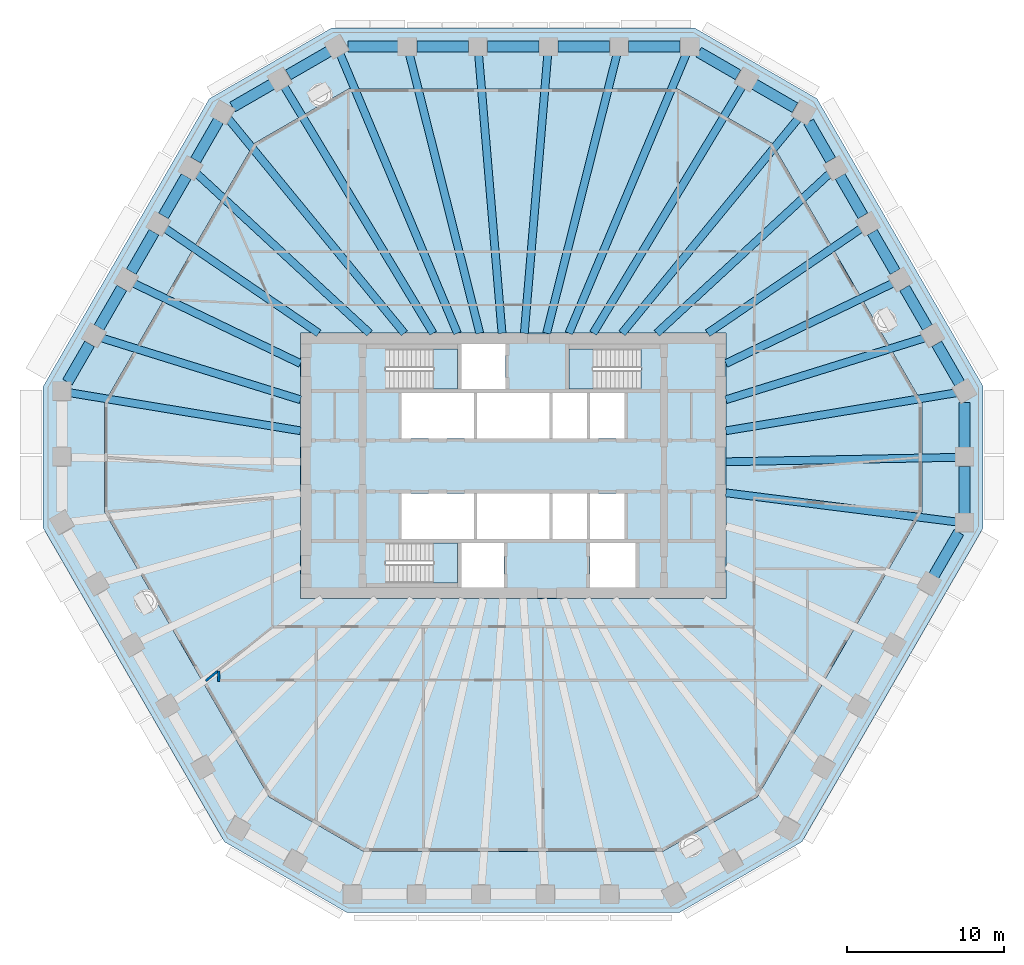
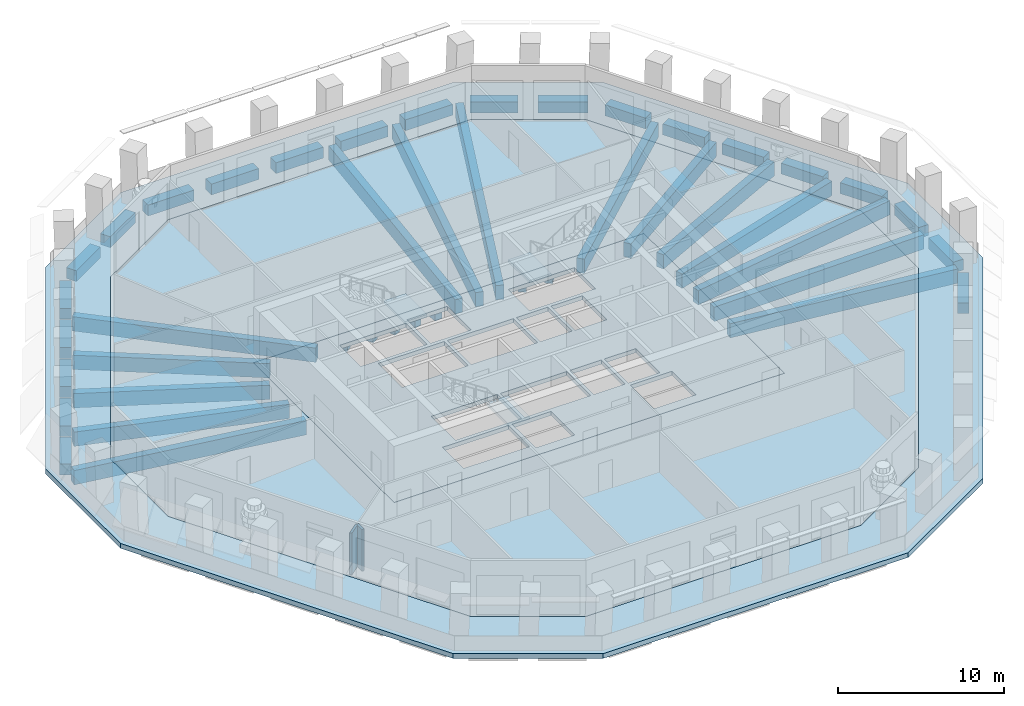
# One storey, part 2 of 12: 44 beams, 6 slabs, 2 walls, 3 elements without a shape of their own.
"""IFC4 building model written with IfcOpenShell, lengths in metres."""

from ifc_helpers import new_model, si_unit, direction, frame, frame_2d, origin, origin_2d, place, context, subcontext, project, spatial, polyline, rectangle, outline, extrude, material, layer, layer_set, material_profile, profile_set, type_object, element, aggregate, save


model = new_model("IFC4")

# Units and contexts
model_context = context("Model", 3, precision=1e-05, world=origin(), true_north=direction((0.0, 1.0)))
body_context = subcontext(model_context, "Body", "Model", "MODEL_VIEW")
ifc_project = project(units=[si_unit("LENGTHUNIT", "METRE"), si_unit("AREAUNIT", "SQUARE_METRE"), si_unit("VOLUMEUNIT", "CUBIC_METRE"), si_unit("PLANEANGLEUNIT", "RADIAN"), si_unit("MASSUNIT", "GRAM", prefix="KILO")], contexts=[model_context])

# Site, building, storey
site_placement = place(None, origin())
site = spatial("IfcSite", under=ifc_project, at=site_placement, CompositionType="ELEMENT")
building_placement = place(site_placement, origin())
building = spatial("IfcBuilding", under=site, at=building_placement, Name="Frailejon Research Tower", CompositionType="ELEMENT")
storey_placement = place(building_placement, frame((0.0, 0.0, 162.800048828125)))
storey = spatial("IfcBuildingStorey", under=building, at=storey_placement, Name="L35", CompositionType="ELEMENT", Elevation=162.800048828125)

# Beams
ifc_material_1 = material(Name="Concrete C60/75", Category="concrete")
ifc_material_profile_1 = material_profile(ifc_material_1, rectangle(XDim=0.5, YDim=1.050048828125, at=origin_2d()), Name="Girder 500x1050")
ifc_profile_set_1 = profile_set([ifc_material_profile_1], Name="Concrete C60/75")
beam_type_1 = type_object("IfcBeamType", Name="Girder 500x1050", PredefinedType="BEAM", material=ifc_profile_set_1)
beam_1_placement = place(storey_placement, frame((28.281005859375, -3.577392578125, -0.824951171875), z_axis=(-0.992095188785, 0.125487594564, 0.0), x_axis=(-0.125487594564, -0.992095188785, 0.0)))
element("IfcBeam", 1, at=beam_1_placement, inside=storey, type_object=beam_type_1, Name="Girder 500x1050", PredefinedType="BEAM", context=body_context, shape_type="SweptSolid", body=[
    extrude(rectangle(XDim=0.5, YDim=1.050048828125, at=origin_2d()), origin(), (0.0, 0.0, 1.0), 14.848388671875),
])
beam_2_placement = place(storey_placement, frame((28.281982421875, 0.54443359375, -0.824951171875), z_axis=(-0.999814637408, -0.019253332814, 0.0), x_axis=(0.019253332814, -0.999814637408, 0.0)))
element("IfcBeam", 2, at=beam_2_placement, inside=storey, type_object=beam_type_1, Name="Girder 500x1050", PredefinedType="BEAM", context=body_context, shape_type="SweptSolid", body=[
    extrude(rectangle(XDim=0.5, YDim=1.050048828125, at=origin_2d()), origin(), (0.0, 0.0, 1.0), 14.734619140625),
])
beam_3_placement = place(storey_placement, frame((28.24755859375, 4.66064453125, -0.824951171875), z_axis=(-0.986659725241, -0.16279615041, 0.0), x_axis=(0.16279615041, -0.986659725241, 0.0)))
element("IfcBeam", 3, at=beam_3_placement, inside=storey, type_object=beam_type_1, Name="Girder 500x1050", PredefinedType="BEAM", context=body_context, shape_type="SweptSolid", body=[
    extrude(rectangle(XDim=0.5, YDim=1.050048828125, at=origin_2d()), origin(), (0.0, 0.0, 1.0), 14.896240234375),
])
beam_4_placement = place(storey_placement, frame((26.23583984375, 8.156982421875, -0.824951171875), z_axis=(-0.954912247914, -0.296888192395, 0.0), x_axis=(0.296888192395, -0.954912247914, 0.0)))
element("IfcBeam", 4, at=beam_4_placement, inside=storey, type_object=beam_type_1, Name="Girder 500x1050", PredefinedType="BEAM", context=body_context, shape_type="SweptSolid", body=[
    extrude(rectangle(XDim=0.5, YDim=1.050048828125, at=origin_2d()), origin(), (0.0, 0.0, 1.0), 13.28466796875),
])
beam_5_placement = place(storey_placement, frame((24.220947265625, 11.653564453125, -0.824951171875), z_axis=(-0.901119230494, -0.433571369481, 0.0), x_axis=(0.433571369481, -0.901119230494, 0.0)))
element("IfcBeam", 5, at=beam_5_placement, inside=storey, type_object=beam_type_1, Name="Girder 500x1050", PredefinedType="BEAM", context=body_context, shape_type="SweptSolid", body=[
    extrude(rectangle(XDim=0.5, YDim=1.050048828125, at=origin_2d()), origin(), (0.0, 0.0, 1.0), 11.841796875),
])
beam_6_placement = place(storey_placement, frame((22.20263671875, 15.149169921875, -0.824951171875), z_axis=(-0.826029565842, -0.563626788181, 0.0), x_axis=(0.563626788181, -0.826029565842, 0.0)))
element("IfcBeam", 6, at=beam_6_placement, inside=storey, type_object=beam_type_1, Name="Girder 500x1050", PredefinedType="BEAM", context=body_context, shape_type="SweptSolid", body=[
    extrude(rectangle(XDim=0.5, YDim=1.050048828125, at=origin_2d()), origin(), (0.0, 0.0, 1.0), 11.885986328125),
])
beam_7_placement = place(storey_placement, frame((20.181884765625, 18.642578125, -0.824951171875), z_axis=(-0.734563500471, -0.678539950022, 0.0), x_axis=(0.678539950022, -0.734563500471, 0.0)))
element("IfcBeam", 7, at=beam_7_placement, inside=storey, type_object=beam_type_1, Name="Girder 500x1050", PredefinedType="BEAM", context=body_context, shape_type="SweptSolid", body=[
    extrude(rectangle(XDim=0.5, YDim=1.050048828125, at=origin_2d()), origin(), (0.0, 0.0, 1.0), 15.021484375),
])
beam_8_placement = place(storey_placement, frame((18.180908203125, 22.158203125, -0.824951171875), z_axis=(-0.634308594073, -0.773079948961, 0.0), x_axis=(0.773079948961, -0.634308594073, 0.0)))
element("IfcBeam", 8, at=beam_8_placement, inside=storey, type_object=beam_type_1, Name="Girder 500x1050", PredefinedType="BEAM", context=body_context, shape_type="SweptSolid", body=[
    extrude(rectangle(XDim=0.5, YDim=1.050048828125, at=origin_2d()), origin(), (0.0, 0.0, 1.0), 17.73193359375),
])
beam_9_placement = place(storey_placement, frame((14.612548828125, 24.220703125, -0.824951171875), z_axis=(-0.516578017035, -0.856240125383, 0.0), x_axis=(0.856240125383, -0.516578017035, 0.0)))
element("IfcBeam", 9, at=beam_9_placement, inside=storey, type_object=beam_type_1, Name="Girder 500x1050", PredefinedType="BEAM", context=body_context, shape_type="SweptSolid", body=[
    extrude(rectangle(XDim=0.5, YDim=1.050048828125, at=origin_2d()), origin(), (0.0, 0.0, 1.0), 18.418701171875),
])
beam_10_placement = place(storey_placement, frame((11.0244140625, 26.23828125, -0.824951171875), z_axis=(-0.387365638127, -0.921926169711, 0.0), x_axis=(0.921926169711, -0.387365638127, 0.0)))
element("IfcBeam", 10, at=beam_10_placement, inside=storey, type_object=beam_type_1, Name="Girder 500x1050", PredefinedType="BEAM", context=body_context, shape_type="SweptSolid", body=[
    extrude(rectangle(XDim=0.5, YDim=1.050048828125, at=origin_2d()), origin(), (0.0, 0.0, 1.0), 19.294677734375),
])
beam_11_placement = place(storey_placement, frame((6.616455078125, 26.245361328125, -0.824951171875), z_axis=(-0.24444454203, -0.969663274478, 0.0), x_axis=(0.969663274478, -0.24444454203, 0.0)))
element("IfcBeam", 11, at=beam_11_placement, inside=storey, type_object=beam_type_1, Name="Girder 500x1050", PredefinedType="BEAM", context=body_context, shape_type="SweptSolid", body=[
    extrude(rectangle(XDim=0.5, YDim=1.050048828125, at=origin_2d()), origin(), (0.0, 0.0, 1.0), 18.35205078125),
])
for number, where, z_axis, x_axis, name in (
    (12, (2.205810546875, 26.24951171875, -0.824951171875), (-0.083729799885, -0.996488494972, 0.0), (0.996488494972, -0.083729799885, 0.0), "Girder 500x1050"),
    (13, (-2.205810546875, 26.24951171875, -0.824951171875), (0.083729799885, -0.996488494972, 0.0), (0.996488494972, 0.083729799885, 0.0), "Girder 500x1050"),
):
    element("IfcBeam", number, at=place(storey_placement, frame(where, z_axis=z_axis, x_axis=x_axis)), inside=storey, type_object=beam_type_1, Name=name, PredefinedType="BEAM", context=body_context, shape_type="SweptSolid", body=[
        extrude(rectangle(XDim=0.5, YDim=1.050048828125, at=origin_2d()), origin(), (0.0, 0.0, 1.0), 17.8623046875),
    ])
beam_12_placement = place(storey_placement, frame((-6.616455078125, 26.245361328125, -0.824951171875), z_axis=(0.24444454203, -0.969663274478, 0.0), x_axis=(0.969663274478, 0.24444454203, 0.0)))
element("IfcBeam", 14, at=beam_12_placement, inside=storey, type_object=beam_type_1, Name="Girder 500x1050", PredefinedType="BEAM", context=body_context, shape_type="SweptSolid", body=[
    extrude(rectangle(XDim=0.5, YDim=1.050048828125, at=origin_2d()), origin(), (0.0, 0.0, 1.0), 18.35205078125),
])
beam_13_placement = place(storey_placement, frame((-11.042236328125, 26.28076171875, -0.824951171875), z_axis=(0.38736446261, -0.921926663627, 0.0), x_axis=(0.921926663627, 0.38736446261, 0.0)))
element("IfcBeam", 15, at=beam_13_placement, inside=storey, type_object=beam_type_1, Name="Girder 500x1050", PredefinedType="BEAM", context=body_context, shape_type="SweptSolid", body=[
    extrude(rectangle(XDim=0.5, YDim=1.050048828125, at=origin_2d()), origin(), (0.0, 0.0, 1.0), 19.3408203125),
])
beam_14_placement = place(storey_placement, frame((-14.612548828125, 24.220703125, -0.824951171875), z_axis=(0.516578017035, -0.856240125383, 0.0), x_axis=(0.856240125383, 0.516578017035, 0.0)))
element("IfcBeam", 16, at=beam_14_placement, inside=storey, type_object=beam_type_1, Name="Girder 500x1050", PredefinedType="BEAM", context=body_context, shape_type="SweptSolid", body=[
    extrude(rectangle(XDim=0.5, YDim=1.050048828125, at=origin_2d()), origin(), (0.0, 0.0, 1.0), 18.418701171875),
])
beam_15_placement = place(storey_placement, frame((-18.16015625, 22.1328125, -0.824951171875), z_axis=(0.634311327173, -0.773077706457, 0.0), x_axis=(0.773077706457, 0.634311327173, 0.0)))
element("IfcBeam", 17, at=beam_15_placement, inside=storey, type_object=beam_type_1, Name="Girder 500x1050", PredefinedType="BEAM", context=body_context, shape_type="SweptSolid", body=[
    extrude(rectangle(XDim=0.5, YDim=1.050048828125, at=origin_2d()), origin(), (0.0, 0.0, 1.0), 17.69921875),
])
beam_16_placement = place(storey_placement, frame((-20.181884765625, 18.642578125, -0.824951171875), z_axis=(0.734563500471, -0.678539950022, 0.0), x_axis=(0.678539950022, 0.734563500471, 0.0)))
element("IfcBeam", 18, at=beam_16_placement, inside=storey, type_object=beam_type_1, Name="Girder 500x1050", PredefinedType="BEAM", context=body_context, shape_type="SweptSolid", body=[
    extrude(rectangle(XDim=0.5, YDim=1.050048828125, at=origin_2d()), origin(), (0.0, 0.0, 1.0), 15.021484375),
])
beam_17_placement = place(storey_placement, frame((-22.20263671875, 15.149169921875, -0.824951171875), z_axis=(0.826029565842, -0.563626788181, 0.0), x_axis=(0.563626788181, 0.826029565842, 0.0)))
element("IfcBeam", 19, at=beam_17_placement, inside=storey, type_object=beam_type_1, Name="Girder 500x1050", PredefinedType="BEAM", context=body_context, shape_type="SweptSolid", body=[
    extrude(rectangle(XDim=0.5, YDim=1.050048828125, at=origin_2d()), origin(), (0.0, 0.0, 1.0), 11.885986328125),
])
beam_18_placement = place(storey_placement, frame((-24.220947265625, 11.653564453125, -0.824951171875), z_axis=(0.901119230494, -0.433571369481, 0.0), x_axis=(0.433571369481, 0.901119230494, 0.0)))
element("IfcBeam", 20, at=beam_18_placement, inside=storey, type_object=beam_type_1, Name="Girder 500x1050", PredefinedType="BEAM", context=body_context, shape_type="SweptSolid", body=[
    extrude(rectangle(XDim=0.5, YDim=1.050048828125, at=origin_2d()), origin(), (0.0, 0.0, 1.0), 11.841796875),
])
beam_19_placement = place(storey_placement, frame((-26.23583984375, 8.156982421875, -0.824951171875), z_axis=(0.954912247914, -0.296888192395, 0.0), x_axis=(0.296888192395, 0.954912247914, 0.0)))
element("IfcBeam", 21, at=beam_19_placement, inside=storey, type_object=beam_type_1, Name="Girder 500x1050", PredefinedType="BEAM", context=body_context, shape_type="SweptSolid", body=[
    extrude(rectangle(XDim=0.5, YDim=1.050048828125, at=origin_2d()), origin(), (0.0, 0.0, 1.0), 13.28466796875),
])
beam_20_placement = place(storey_placement, frame((-28.280029296875, 4.666015625, -0.824951171875), z_axis=(0.986659579812, -0.162797031807, 0.0), x_axis=(0.162797031807, 0.986659579812, 0.0)))
element("IfcBeam", 22, at=beam_20_placement, inside=storey, type_object=beam_type_1, Name="Girder 500x1050", PredefinedType="BEAM", context=body_context, shape_type="SweptSolid", body=[
    extrude(rectangle(XDim=0.5, YDim=1.050048828125, at=origin_2d()), origin(), (0.0, 0.0, 1.0), 14.92919921875),
])
ifc_material_2 = material(Name="Concrete C60/75", Category="concrete")
ifc_material_profile_2 = material_profile(ifc_material_2, rectangle(XDim=0.699951171875, YDim=0.800048828125, at=origin_2d()), Name="Spandrel 700x800")
ifc_profile_set_2 = profile_set([ifc_material_profile_2], Name="Concrete C60/75")
beam_type_2 = type_object("IfcBeamType", Name="Spandrel 700x800", PredefinedType="BEAM", material=ifc_profile_set_2)
beam_21_placement = place(storey_placement, frame((28.732177734375, -3.034423828125, -0.75), z_axis=(0.0, 1.0, 0.0), x_axis=(-1.0, 0.0, 0.0)))
element("IfcBeam", 23, at=beam_21_placement, inside=storey, type_object=beam_type_2, Name="Spandrel 700x800", PredefinedType="BEAM", context=body_context, shape_type="SweptSolid", body=[
    extrude(rectangle(XDim=0.699951171875, YDim=0.800048828125, at=origin_2d()), origin(), (0.0, 0.0, 1.0), 2.987548828125),
])
beam_22_placement = place(storey_placement, frame((28.732177734375, 1.153076171875, -0.75), z_axis=(0.0, 1.0, 0.0), x_axis=(-1.0, 0.0, 0.0)))
element("IfcBeam", 24, at=beam_22_placement, inside=storey, type_object=beam_type_2, Name="Spandrel 700x800", PredefinedType="BEAM", context=body_context, shape_type="SweptSolid", body=[
    extrude(rectangle(XDim=0.699951171875, YDim=0.800048828125, at=origin_2d()), origin(), (0.0, 0.0, 1.0), 2.894775390625),
])
beam_23_placement = place(storey_placement, frame((28.43212890625, 5.26025390625, -0.75), z_axis=(-0.500008670696, 0.866020397698, 0.0), x_axis=(-0.866020397698, -0.500008670696, 0.0)))
element("IfcBeam", 25, at=beam_23_placement, inside=storey, type_object=beam_type_2, Name="Spandrel 700x800", PredefinedType="BEAM", context=body_context, shape_type="SweptSolid", body=[
    extrude(rectangle(XDim=0.699951171875, YDim=0.800048828125, at=origin_2d()), origin(), (0.0, 0.0, 1.0), 2.904296875),
])
beam_24_placement = place(storey_placement, frame((26.3798828125, 8.814697265625, -0.75), z_axis=(-0.499945619954, 0.866056797842, 0.0), x_axis=(-0.866056797842, -0.499945619954, 0.0)))
element("IfcBeam", 26, at=beam_24_placement, inside=storey, type_object=beam_type_2, Name="Spandrel 700x800", PredefinedType="BEAM", context=body_context, shape_type="SweptSolid", body=[
    extrude(rectangle(XDim=0.699951171875, YDim=0.800048828125, at=origin_2d()), origin(), (0.0, 0.0, 1.0), 2.904052734375),
])
for number, where, z_axis, x_axis, name in (
    (27, (24.327880859375, 12.368896484375, -0.75), (-0.500008670696, 0.866020397698, 0.0), (-0.866020397698, -0.500008670696, 0.0), "Spandrel 700x800"),
    (28, (22.27587890625, 15.92333984375, -0.75), (-0.500008670696, 0.866020397698, 0.0), (-0.866020397698, -0.500008670696, 0.0), "Spandrel 700x800"),
):
    element("IfcBeam", number, at=place(storey_placement, frame(where, z_axis=z_axis, x_axis=x_axis)), inside=storey, type_object=beam_type_2, Name=name, PredefinedType="BEAM", context=body_context, shape_type="SweptSolid", body=[
        extrude(rectangle(XDim=0.699951171875, YDim=0.800048828125, at=origin_2d()), origin(), (0.0, 0.0, 1.0), 2.904296875),
    ])
beam_25_placement = place(storey_placement, frame((20.2236328125, 19.477783203125, -0.75), z_axis=(-0.499978056798, 0.866038072327, 0.0), x_axis=(-0.866038072327, -0.499978056798, 0.0)))
element("IfcBeam", 29, at=beam_25_placement, inside=storey, type_object=beam_type_2, Name="Spandrel 700x800", PredefinedType="BEAM", context=body_context, shape_type="SweptSolid", body=[
    extrude(rectangle(XDim=0.699951171875, YDim=0.800048828125, at=origin_2d()), origin(), (0.0, 0.0, 1.0), 2.811279296875),
])
beam_26_placement = place(storey_placement, frame((17.951904296875, 22.8125, -0.75), z_axis=(-0.86603180189, 0.499988917992, 0.0), x_axis=(-0.499988917992, -0.86603180189, 0.0)))
element("IfcBeam", 30, at=beam_26_placement, inside=storey, type_object=beam_type_2, Name="Spandrel 700x800", PredefinedType="BEAM", context=body_context, shape_type="SweptSolid", body=[
    extrude(rectangle(XDim=0.699951171875, YDim=0.800048828125, at=origin_2d()), origin(), (0.0, 0.0, 1.0), 2.9873046875),
])
beam_27_placement = place(storey_placement, frame((14.325439453125, 24.90625, -0.75), z_axis=(-0.866033897268, 0.499985288567, 0.0), x_axis=(-0.499985288567, -0.866033897268, 0.0)))
element("IfcBeam", 31, at=beam_27_placement, inside=storey, type_object=beam_type_2, Name="Spandrel 700x800", PredefinedType="BEAM", context=body_context, shape_type="SweptSolid", body=[
    extrude(rectangle(XDim=0.699951171875, YDim=0.800048828125, at=origin_2d()), origin(), (0.0, 0.0, 1.0), 2.89453125),
])
for number, where, z_axis, x_axis, name in (
    (32, (10.618408203125, 26.699951171875, -0.75), (-1.0, 0.0, 0.0), (0.0, -1.0, 0.0), "Spandrel 700x800"),
    (33, (6.131103515625, 26.699951171875, -0.75), (-1.0, 0.0, 0.0), (0.0, -1.0, 0.0), "Spandrel 700x800"),
):
    element("IfcBeam", number, at=place(storey_placement, frame(where, z_axis=z_axis, x_axis=x_axis)), inside=storey, type_object=beam_type_2, Name=name, PredefinedType="BEAM", context=body_context, shape_type="SweptSolid", body=[
        extrude(rectangle(XDim=0.699951171875, YDim=0.800048828125, at=origin_2d()), origin(), (0.0, 0.0, 1.0), 3.287353515625),
    ])
beam_28_placement = place(storey_placement, frame((1.643798828125, 26.699951171875, -0.75), z_axis=(-1.0, 0.0, 0.0), x_axis=(0.0, -1.0, 0.0)))
element("IfcBeam", 34, at=beam_28_placement, inside=storey, type_object=beam_type_2, Name="Spandrel 700x800", PredefinedType="BEAM", context=body_context, shape_type="SweptSolid", body=[
    extrude(rectangle(XDim=0.699951171875, YDim=0.800048828125, at=origin_2d()), origin(), (0.0, 0.0, 1.0), 3.28759765625),
])
beam_29_placement = place(storey_placement, frame((-2.84375, 26.699951171875, -0.75), z_axis=(-1.0, 0.0, 0.0), x_axis=(0.0, -1.0, 0.0)))
element("IfcBeam", 35, at=beam_29_placement, inside=storey, type_object=beam_type_2, Name="Spandrel 700x800", PredefinedType="BEAM", context=body_context, shape_type="SweptSolid", body=[
    extrude(rectangle(XDim=0.699951171875, YDim=0.800048828125, at=origin_2d()), origin(), (0.0, 0.0, 1.0), 3.287353515625),
])
beam_30_placement = place(storey_placement, frame((-7.3310546875, 26.699951171875, -0.75), z_axis=(-1.0, 0.0, 0.0), x_axis=(0.0, -1.0, 0.0)))
element("IfcBeam", 36, at=beam_30_placement, inside=storey, type_object=beam_type_2, Name="Spandrel 700x800", PredefinedType="BEAM", context=body_context, shape_type="SweptSolid", body=[
    extrude(rectangle(XDim=0.699951171875, YDim=0.800048828125, at=origin_2d()), origin(), (0.0, 0.0, 1.0), 3.194580078125),
])
beam_31_placement = place(storey_placement, frame((-11.738037109375, 26.39990234375, -0.75), z_axis=(-0.866052229876, -0.499953532967, 0.0), x_axis=(0.499953532967, -0.866052229876, 0.0)))
element("IfcBeam", 37, at=beam_31_placement, inside=storey, type_object=beam_type_2, Name="Spandrel 700x800", PredefinedType="BEAM", context=body_context, shape_type="SweptSolid", body=[
    extrude(rectangle(XDim=0.699951171875, YDim=0.800048828125, at=origin_2d()), origin(), (0.0, 0.0, 1.0), 2.987548828125),
])
beam_32_placement = place(storey_placement, frame((-15.36474609375, 24.30615234375, -0.75), z_axis=(-0.866033897268, -0.499985288567, 0.0), x_axis=(0.499985288567, -0.866033897268, 0.0)))
element("IfcBeam", 38, at=beam_32_placement, inside=storey, type_object=beam_type_2, Name="Spandrel 700x800", PredefinedType="BEAM", context=body_context, shape_type="SweptSolid", body=[
    extrude(rectangle(XDim=0.699951171875, YDim=0.800048828125, at=origin_2d()), origin(), (0.0, 0.0, 1.0), 2.89453125),
])
for number, where, z_axis, x_axis, name in (
    (39, (-18.771484375, 21.992919921875, -0.75), (-0.500008670696, -0.866020397698, 0.0), (0.866020397698, -0.500008670696, 0.0), "Spandrel 700x800"),
    (40, (-20.82373046875, 18.4384765625, -0.75), (-0.500008670696, -0.866020397698, 0.0), (0.866020397698, -0.500008670696, 0.0), "Spandrel 700x800"),
    (41, (-22.875732421875, 14.884033203125, -0.75), (-0.500008670696, -0.866020397698, 0.0), (0.866020397698, -0.500008670696, 0.0), "Spandrel 700x800"),
):
    element("IfcBeam", number, at=place(storey_placement, frame(where, z_axis=z_axis, x_axis=x_axis)), inside=storey, type_object=beam_type_2, Name=name, PredefinedType="BEAM", context=body_context, shape_type="SweptSolid", body=[
        extrude(rectangle(XDim=0.699951171875, YDim=0.800048828125, at=origin_2d()), origin(), (0.0, 0.0, 1.0), 2.904296875),
    ])
beam_33_placement = place(storey_placement, frame((-24.927978515625, 11.329833984375, -0.75), z_axis=(-0.499945619954, -0.866056797842, 0.0), x_axis=(0.866056797842, -0.499945619954, 0.0)))
element("IfcBeam", 42, at=beam_33_placement, inside=storey, type_object=beam_type_2, Name="Spandrel 700x800", PredefinedType="BEAM", context=body_context, shape_type="SweptSolid", body=[
    extrude(rectangle(XDim=0.699951171875, YDim=0.800048828125, at=origin_2d()), origin(), (0.0, 0.0, 1.0), 2.904052734375),
])
beam_34_placement = place(storey_placement, frame((-26.97998046875, 7.775390625, -0.75), z_axis=(-0.500043189695, -0.866000466766, 0.0), x_axis=(0.866000466766, -0.500043189695, 0.0)))
element("IfcBeam", 43, at=beam_34_placement, inside=storey, type_object=beam_type_2, Name="Spandrel 700x800", PredefinedType="BEAM", context=body_context, shape_type="SweptSolid", body=[
    extrude(rectangle(XDim=0.699951171875, YDim=0.800048828125, at=origin_2d()), origin(), (0.0, 0.0, 1.0), 2.811279296875),
])
beam_35_placement = place(storey_placement, frame((26.788330078125, -7.001220703125, -0.75), z_axis=(0.500026752084, 0.866009957911, 0.0), x_axis=(-0.866009957911, 0.500026752084, 0.0)))
element("IfcBeam", 44, at=beam_35_placement, inside=storey, type_object=beam_type_2, Name="Spandrel 700x800", PredefinedType="BEAM", context=body_context, shape_type="SweptSolid", body=[
    extrude(rectangle(XDim=0.699951171875, YDim=0.800048828125, at=origin_2d()), origin(), (0.0, 0.0, 1.0), 3.194580078125),
])

# Slabs
ifc_material_3 = material(Name="Concrete C60/75", Category="concrete")
ifc_layer_1 = layer(ifc_material_3, 0.300048828125)
ifc_layer_set_1 = layer_set([ifc_layer_1], Name="Core floor slab 300 C60/75")
slab_type_1 = type_object("IfcSlabType", Name="Core floor slab 300 C60/75", PredefinedType="FLOOR", material=ifc_layer_set_1)
slab_1_placement = place(storey_placement, frame((0.0, 0.0, -0.300048828125)))
element("IfcSlab", 45, at=slab_1_placement, inside=storey, type_object=slab_type_1, Name="Core floor slab", PredefinedType="FLOOR", context=body_context, shape_type="SweptSolid", body=[
    extrude(outline(polyline([(13.550048828125, -8.449951171875), (13.550048828125, 8.449951171875), (-13.550048828125, 8.449951171875), (-13.550048828125, -8.449951171875), (13.550048828125, -8.449951171875)]), holes=[polyline([(-2.5, 1.75), (-2.5, 4.64990234375), (-7.10009765625, 4.64990234375), (-7.10009765625, 1.75), (-2.5, 1.75)]), polyline([(2.300048828125, 1.75), (2.300048828125, 4.64990234375), (-2.300048828125, 4.64990234375), (-2.300048828125, 1.75), (2.300048828125, 1.75)]), polyline([(4.699951171875, 1.75), (4.699951171875, 4.64990234375), (2.5, 4.64990234375), (2.5, 1.75), (4.699951171875, 1.75)]), polyline([(7.10009765625, 1.75), (7.10009765625, 4.64990234375), (4.89990234375, 4.64990234375), (4.89990234375, 1.75), (7.10009765625, 1.75)]), polyline([(-2.5, -4.64990234375), (-2.5, -1.75), (-7.10009765625, -1.75), (-7.10009765625, -4.64990234375), (-2.5, -4.64990234375)]), polyline([(2.300048828125, -4.64990234375), (2.300048828125, -1.75), (-2.300048828125, -1.75), (-2.300048828125, -4.64990234375), (2.300048828125, -4.64990234375)]), polyline([(4.699951171875, -4.64990234375), (4.699951171875, -1.75), (2.5, -1.75), (2.5, -4.64990234375), (4.699951171875, -4.64990234375)]), polyline([(7.10009765625, -4.64990234375), (7.10009765625, -1.75), (4.89990234375, -1.75), (4.89990234375, -4.64990234375), (7.10009765625, -4.64990234375)]), polyline([(-8.14697265625, 4.89990234375), (-3.550048828125, 4.89990234375), (-3.550048828125, 7.449951171875), (-8.14697265625, 7.449951171875), (-8.14697265625, 4.89990234375)]), polyline([(-8.14697265625, -7.449951171875), (-3.550048828125, -7.449951171875), (-3.550048828125, -4.89990234375), (-8.14697265625, -4.89990234375), (-8.14697265625, -7.449951171875)]), polyline([(8.14697265625, 7.449951171875), (3.550048828125, 7.449951171875), (3.550048828125, 4.89990234375), (8.14697265625, 4.89990234375), (8.14697265625, 7.449951171875)]), polyline([(-0.60009765625, -7.75), (-0.60009765625, -4.89990234375), (-3.300048828125, -4.89990234375), (-3.300048828125, -7.75), (-0.60009765625, -7.75)]), polyline([(7.800048828125, -7.75), (7.800048828125, -4.89990234375), (4.89990234375, -4.89990234375), (4.89990234375, -7.75), (7.800048828125, -7.75)]), polyline([(-0.5, 4.89990234375), (-0.5, 7.75), (-3.300048828125, 7.75), (-3.300048828125, 4.89990234375), (-0.5, 4.89990234375)])]), origin(), (0.0, 0.0, 1.0), 0.300048828125),
])
ifc_material_4 = material(Name="Concrete C40/50", Category="concrete")
ifc_layer_2 = layer(ifc_material_4, 0.35009765625)
ifc_layer_set_2 = layer_set([ifc_layer_2], Name="Loggia slab 350")
slab_type_2 = type_object("IfcSlabType", Name="Loggia slab 350", PredefinedType="USERDEFINED", material=ifc_layer_set_2)
slab_2_placement = place(storey_placement, frame((0.0, 0.0, -0.35009765625)))
element("IfcSlab", 46, at=slab_2_placement, inside=storey, type_object=slab_type_2, Name="Loggia slab L35", ObjectType="LOGGIA", PredefinedType="USERDEFINED", context=body_context, shape_type="SweptSolid", body=[
    extrude(outline(polyline([(18.39208984375, -23.944091796875), (10.58203125, -28.453125), (-10.58203125, -28.453125), (-18.39208984375, -23.944091796875), (-29.93212890625, -3.9560546875), (-29.93212890625, 5.062255859375), (-19.35009765625, 23.390869140625), (-11.5400390625, 27.89990234375), (11.5400390625, 27.89990234375), (19.35009765625, 23.390869140625), (29.93212890625, 5.062255859375), (29.93212890625, -3.9560546875), (18.39208984375, -23.944091796875)]), holes=[polyline([(26.031982421875, 4.01708984375), (16.4951171875, 20.535888671875), (10.4951171875, 24.0), (-10.4951171875, 24.0), (-16.4951171875, 20.535888671875), (-26.031982421875, 4.01708984375), (-26.031982421875, -2.910888671875), (-15.537109375, -21.089111328125), (-9.537109375, -24.552978515625), (9.537109375, -24.552978515625), (15.537109375, -21.089111328125), (26.031982421875, -2.910888671875), (26.031982421875, 4.01708984375)])]), origin(), (0.0, 0.0, 1.0), 0.35009765625),
])
ifc_material_5 = material(Name="Concrete C40/50", Category="concrete")
ifc_layer_3 = layer(ifc_material_5, 0.300048828125)
ifc_layer_set_3 = layer_set([ifc_layer_3], Name="Slab typical 300")
slab_type_3 = type_object("IfcSlabType", Name="Slab typical 300", PredefinedType="FLOOR", material=ifc_layer_set_3)
slab_3_placement = place(storey_placement, frame((0.0, 0.0, -0.300048828125)))
element("IfcSlab", 47, at=slab_3_placement, inside=storey, type_object=slab_type_3, Name="Floor slab L35", PredefinedType="FLOOR", context=body_context, shape_type="SweptSolid", body=[
    extrude(outline(polyline([(26.031982421875, -2.910888671875), (26.031982421875, 4.01708984375), (16.4951171875, 20.535888671875), (10.4951171875, 24.0), (-10.4951171875, 24.0), (-16.4951171875, 20.535888671875), (-26.031982421875, 4.01708984375), (-26.031982421875, -2.910888671875), (-15.537109375, -21.089111328125), (-9.537109375, -24.552978515625), (9.537109375, -24.552978515625), (15.537109375, -21.089111328125), (26.031982421875, -2.910888671875)]), holes=[polyline([(13.550048828125, -8.449951171875), (-13.550048828125, -8.449951171875), (-13.550048828125, 8.449951171875), (13.550048828125, 8.449951171875), (13.550048828125, -8.449951171875)])]), origin(), (0.0, 0.0, 1.0), 0.300048828125),
])

# Stair, slab
ifc_material_6 = material(Name="Concrete C50/60", Category="concrete")
stair_type = type_object("IfcStairType", Name="Exit stair 24 risers", PredefinedType="HALF_TURN_STAIR", material=ifc_material_6)
stair_1_placement = place(storey_placement, origin())
stair_1 = element("IfcStair", 48, at=stair_1_placement, inside=storey, type_object=stair_type, Name="L35 Exit stair ST1", PredefinedType="HALF_TURN_STAIR")
ifc_material_7 = material(Name="Concrete C50/60", Category="concrete")
ifc_layer_4 = layer(ifc_material_7, 0.199951171875)
ifc_layer_set_4 = layer_set([ifc_layer_4], Name="Stair landing slab 200")
slab_type_4 = type_object("IfcSlabType", Name="Stair landing slab 200", PredefinedType="LANDING", material=ifc_layer_set_4)
slab_4_placement = place(storey_placement, frame((0.0, 0.0, 2.0)))
slab_4 = element("IfcSlab", 49, at=slab_4_placement, type_object=slab_type_4, Name="ST1 landing 1", PredefinedType="LANDING", context=body_context, shape_type="SweptSolid", body=[
    extrude(outline(polyline([(-5.070068359375, 4.89990234375), (-3.550048828125, 4.89990234375), (-3.550048828125, 7.449951171875), (-5.070068359375, 7.449951171875), (-5.070068359375, 4.89990234375)])), origin(), (0.0, 0.0, 1.0), 0.199951171875),
])
aggregate(stair_1, [slab_4])

stair_2_placement = place(storey_placement, origin())
stair_2 = element("IfcStair", 50, at=stair_2_placement, inside=storey, type_object=stair_type, Name="L35 Exit stair ST2", PredefinedType="HALF_TURN_STAIR")
slab_5_placement = place(storey_placement, frame((0.0, 0.0, 2.0)))
slab_5 = element("IfcSlab", 51, at=slab_5_placement, type_object=slab_type_4, Name="ST2 landing 1", PredefinedType="LANDING", context=body_context, shape_type="SweptSolid", body=[
    extrude(outline(polyline([(-5.070068359375, -7.449951171875), (-3.550048828125, -7.449951171875), (-3.550048828125, -4.89990234375), (-5.070068359375, -4.89990234375), (-5.070068359375, -7.449951171875)])), origin(), (0.0, 0.0, 1.0), 0.199951171875),
])
aggregate(stair_2, [slab_5])

stair_3_placement = place(storey_placement, origin())
stair_3 = element("IfcStair", 52, at=stair_3_placement, inside=storey, type_object=stair_type, Name="L35 Exit stair ST3", PredefinedType="HALF_TURN_STAIR")
slab_6_placement = place(storey_placement, frame((0.0, 0.0, 2.0)))
slab_6 = element("IfcSlab", 53, at=slab_6_placement, type_object=slab_type_4, Name="ST3 landing 1", PredefinedType="LANDING", context=body_context, shape_type="SweptSolid", body=[
    extrude(outline(polyline([(5.070068359375, 7.449951171875), (3.550048828125, 7.449951171875), (3.550048828125, 4.89990234375), (5.070068359375, 4.89990234375), (5.070068359375, 7.449951171875)])), origin(), (0.0, 0.0, 1.0), 0.199951171875),
])
aggregate(stair_3, [slab_6])

# Walls
ifc_material_8 = material(Name="Gypsum board and masonry partition", Category="masonry")
ifc_layer_5 = layer(ifc_material_8, 0.14990234375)
ifc_layer_set_5 = layer_set([ifc_layer_5], Name="Laboratory partition, blockwork 150")
wall_type = type_object("IfcWallType", Name="Laboratory partition, blockwork 150", PredefinedType="PARTITIONING", material=ifc_layer_set_5)
wall_1_placement = place(storey_placement, frame((-19.577880859375, -13.68994140625, 0.0), z_axis=(0.0, 0.0, 1.0), x_axis=(0.775730050818, 0.631064884348, 0.0)))
element("IfcWall", 54, at=wall_1_placement, inside=storey, type_object=wall_type, Name="T:IW:L35:021", PredefinedType="PARTITIONING", context=body_context, shape_type="SweptSolid", body=[
    extrude(rectangle(XDim=0.992431640625, YDim=0.14990234375, at=frame_2d((0.49609375, 0.0))), origin(), (0.0, 0.0, 1.0), 3.050048828125),
])
wall_2_placement = place(storey_placement, frame((-18.75, -13.72509765625, 0.0), z_axis=(0.0, 0.0, 1.0), x_axis=(0.0, 1.0, 0.0)))
element("IfcWall", 55, at=wall_2_placement, inside=storey, type_object=wall_type, Name="T:IW:L35:024", PredefinedType="PARTITIONING", context=body_context, shape_type="SweptSolid", body=[
    extrude(rectangle(XDim=0.65869140625, YDim=0.14990234375, at=frame_2d((0.329345703125, 0.0))), origin(), (0.0, 0.0, 1.0), 3.050048828125),
])

save(model, "model.ifc")
